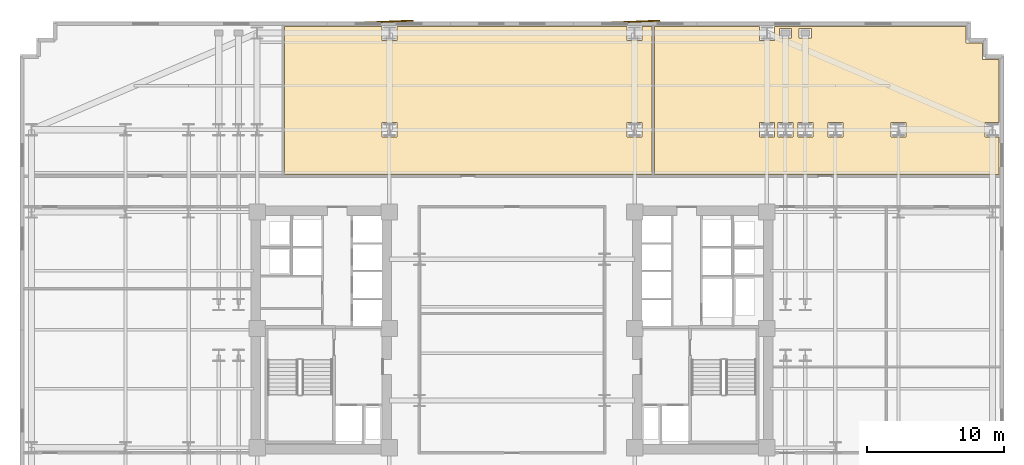
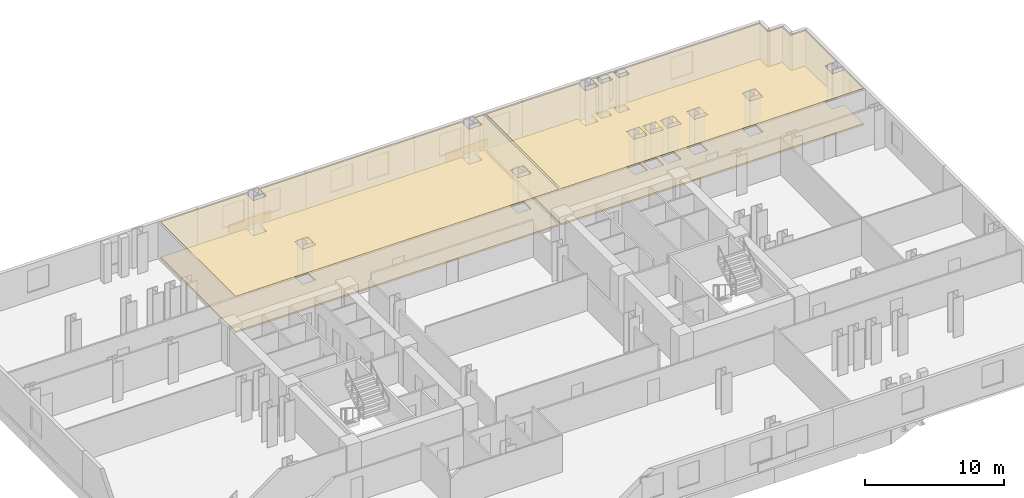
# One storey, part 10 of 10: 6 coverings.
"""IFC4 building model written with IfcOpenShell, lengths in metres."""

from ifc_helpers import new_model, si_unit, direction, frame, origin, origin_2d, place, context, subcontext, project, spatial, polyline, rectangle, outline, extrude, material, layer, layer_set, type_object, element, save


model = new_model("IFC4")

# Units and contexts
model_context = context("Model", 3, precision=1e-05, world=origin(), true_north=direction((0.0, 1.0)))
body_context = subcontext(model_context, "Body", "Model", "MODEL_VIEW")
ifc_project = project(units=[si_unit("LENGTHUNIT", "METRE"), si_unit("AREAUNIT", "SQUARE_METRE"), si_unit("VOLUMEUNIT", "CUBIC_METRE"), si_unit("PLANEANGLEUNIT", "RADIAN"), si_unit("MASSUNIT", "GRAM", prefix="KILO")], contexts=[model_context])

# Site, building, storey
site_placement = place(None, origin())
site = spatial("IfcSite", under=ifc_project, at=site_placement, CompositionType="ELEMENT")
building_placement = place(site_placement, origin())
building = spatial("IfcBuilding", under=site, at=building_placement, Name="Velakula Bourse", CompositionType="ELEMENT")
storey_placement = place(building_placement, frame((0.0, 0.0, 31.199951171875)))
storey = spatial("IfcBuildingStorey", under=building, at=storey_placement, Name="L07", CompositionType="ELEMENT", Elevation=31.199951171875)

# Coverings
ifc_material_1 = material(Name="Red kilned clay facing brick masonry", Category="masonry")
ifc_layer_1 = layer(ifc_material_1, 0.090087890625, Name="Red kilned clay facing brick masonry", Category="masonry")
ifc_layer_set_1 = layer_set([ifc_layer_1], Name="Red kilned clay facing brick masonry")
covering_type_1 = type_object("IfcCoveringType", Name="COV-BRK-FOLD-90", PredefinedType="CLADDING", material=ifc_layer_set_1)
for number, where, z_axis, x_axis, name in (
    (1, (-9.0, 22.489990234375, 0.0), (0.0, 0.0, 1.0), (0.999158993058, 0.041003738744, 0.0), "L07 Folded Brick Facade Cladding Panel N-B2"),
    (2, (9.0, 22.489990234375, 0.0), (0.0, 0.0, 1.0), (0.999158993058, 0.041003738744, 0.0), "L07 Folded Brick Facade Cladding Panel N-B4"),
):
    element("IfcCovering", number, at=place(storey_placement, frame(where, z_axis=z_axis, x_axis=x_axis)), inside=storey, type_object=covering_type_1, Name=name, PredefinedType="CLADDING", context=body_context, shape_type="SweptSolid", body=[
        extrude(rectangle(XDim=3.60009765625, YDim=0.090087890625, at=origin_2d()), origin(), (0.0, 0.0, 1.0), 0.719970703125),
    ])
ifc_material_2 = material(Name="Mineral-fibre acoustic suspended ceiling tile", Category="mineral")
ifc_layer_2 = layer(ifc_material_2, 0.0400390625, Name="Mineral-fibre acoustic suspended ceiling tile", Category="mineral")
ifc_layer_set_2 = layer_set([ifc_layer_2], Name="Mineral-fibre acoustic suspended ceiling tile")
covering_type_2 = type_object("IfcCoveringType", Name="COV-CEIL-AC-40", PredefinedType="CEILING", material=ifc_layer_set_2)
covering_1_placement = place(storey_placement, frame((0.0, 0.0, 3.199951171875)))
element("IfcCovering", 3, at=covering_1_placement, inside=storey, type_object=covering_type_2, Name="L07 Arbitration Conference Room Acoustic Suspended Ceiling", PredefinedType="CEILING", context=body_context, shape_type="SweptSolid", body=[
    extrude(outline(polyline([(8.405029296875, 22.1201171875), (8.405029296875, 21.10498046875), (9.4951171875, 21.10498046875), (9.4951171875, 22.1201171875), (10.2119140625, 22.1201171875), (10.2119140625, 11.330078125), (-16.613037109375, 11.330078125), (-16.613037109375, 22.1201171875), (-9.4951171875, 22.1201171875), (-9.4951171875, 21.10498046875), (-8.405029296875, 21.10498046875), (-8.405029296875, 22.1201171875), (8.405029296875, 22.1201171875)]), holes=[polyline([(8.405029296875, 15.14501953125), (8.405029296875, 14.054931640625), (9.4951171875, 14.054931640625), (9.4951171875, 15.14501953125), (8.405029296875, 15.14501953125)]), polyline([(-9.4951171875, 14.054931640625), (-8.405029296875, 14.054931640625), (-8.405029296875, 15.14501953125), (-9.4951171875, 15.14501953125), (-9.4951171875, 14.054931640625)])]), origin(), (0.0, 0.0, 1.0), 0.0400390625),
])
covering_2_placement = place(storey_placement, frame((0.0, 0.0, 3.199951171875)))
element("IfcCovering", 4, at=covering_2_placement, inside=storey, type_object=covering_type_2, Name="L07 Tea Room Kitchenette Acoustic Suspended Ceiling", PredefinedType="CEILING", context=body_context, shape_type="SweptSolid", body=[
    extrude(outline(polyline([(33.1201171875, 22.1201171875), (33.1201171875, 20.919921875), (34.320068359375, 20.919921875), (34.320068359375, 19.719970703125), (35.52001953125, 19.719970703125), (35.52001953125, 15.14501953125), (34.5048828125, 15.14501953125), (34.5048828125, 14.054931640625), (35.52001953125, 14.054931640625), (35.52001953125, 11.330078125), (10.412109375, 11.330078125), (10.412109375, 22.1201171875), (18.054931640625, 22.1201171875), (18.054931640625, 21.10498046875), (19.14501953125, 21.10498046875), (19.14501953125, 22.1201171875), (33.1201171875, 22.1201171875)]), holes=[polyline([(27.655029296875, 15.14501953125), (27.655029296875, 14.054931640625), (28.7451171875, 14.054931640625), (28.7451171875, 15.14501953125), (27.655029296875, 15.14501953125)]), polyline([(23.054931640625, 15.14501953125), (23.054931640625, 14.054931640625), (24.14501953125, 14.054931640625), (24.14501953125, 15.14501953125), (23.054931640625, 15.14501953125)]), polyline([(20.85498046875, 14.054931640625), (21.945068359375, 14.054931640625), (21.945068359375, 15.14501953125), (20.85498046875, 15.14501953125), (20.85498046875, 14.054931640625)]), polyline([(19.405029296875, 14.054931640625), (20.4951171875, 14.054931640625), (20.4951171875, 15.14501953125), (19.405029296875, 15.14501953125), (19.405029296875, 14.054931640625)]), polyline([(18.054931640625, 14.054931640625), (19.14501953125, 14.054931640625), (19.14501953125, 15.14501953125), (18.054931640625, 15.14501953125), (18.054931640625, 14.054931640625)]), polyline([(20.955078125, 21.9951171875), (20.955078125, 21.304931640625), (21.844970703125, 21.304931640625), (21.844970703125, 21.9951171875), (20.955078125, 21.9951171875)]), polyline([(19.5048828125, 21.9951171875), (19.5048828125, 21.304931640625), (20.39501953125, 21.304931640625), (20.39501953125, 21.9951171875), (19.5048828125, 21.9951171875)])]), origin(), (0.0, 0.0, 1.0), 0.0400390625),
])
ifc_material_3 = material(Name="Calcium-sulphate antistatic raised access flooring", Category="gypsum")
ifc_layer_3 = layer(ifc_material_3, 0.14990234375, Name="Calcium-sulphate antistatic raised access flooring", Category="gypsum")
ifc_layer_set_3 = layer_set([ifc_layer_3], Name="Calcium-sulphate antistatic raised access flooring")
covering_type_3 = type_object("IfcCoveringType", Name="COV-FLR-RAISED-150", PredefinedType="FLOORING", material=ifc_layer_set_3)
covering_3_placement = place(storey_placement, origin())
element("IfcCovering", 5, at=covering_3_placement, inside=storey, type_object=covering_type_3, Name="L07 Arbitration Conference Room Raised Trading Access Floor", PredefinedType="FLOORING", context=body_context, shape_type="SweptSolid", body=[
    extrude(outline(polyline([(8.405029296875, 22.1201171875), (8.405029296875, 21.10498046875), (9.4951171875, 21.10498046875), (9.4951171875, 22.1201171875), (10.2119140625, 22.1201171875), (10.2119140625, 11.330078125), (-16.613037109375, 11.330078125), (-16.613037109375, 22.1201171875), (-9.4951171875, 22.1201171875), (-9.4951171875, 21.10498046875), (-8.405029296875, 21.10498046875), (-8.405029296875, 22.1201171875), (8.405029296875, 22.1201171875)]), holes=[polyline([(8.405029296875, 15.14501953125), (8.405029296875, 14.054931640625), (9.4951171875, 14.054931640625), (9.4951171875, 15.14501953125), (8.405029296875, 15.14501953125)]), polyline([(-9.4951171875, 14.054931640625), (-8.405029296875, 14.054931640625), (-8.405029296875, 15.14501953125), (-9.4951171875, 15.14501953125), (-9.4951171875, 14.054931640625)])]), origin(), (0.0, 0.0, 1.0), 0.150146484375),
])
covering_4_placement = place(storey_placement, origin())
element("IfcCovering", 6, at=covering_4_placement, inside=storey, type_object=covering_type_3, Name="L07 Tea Room Kitchenette Raised Trading Access Floor", PredefinedType="FLOORING", context=body_context, shape_type="SweptSolid", body=[
    extrude(outline(polyline([(33.1201171875, 22.1201171875), (33.1201171875, 20.919921875), (34.320068359375, 20.919921875), (34.320068359375, 19.719970703125), (35.52001953125, 19.719970703125), (35.52001953125, 15.14501953125), (34.5048828125, 15.14501953125), (34.5048828125, 14.054931640625), (35.52001953125, 14.054931640625), (35.52001953125, 11.330078125), (10.412109375, 11.330078125), (10.412109375, 22.1201171875), (18.054931640625, 22.1201171875), (18.054931640625, 21.10498046875), (19.14501953125, 21.10498046875), (19.14501953125, 22.1201171875), (33.1201171875, 22.1201171875)]), holes=[polyline([(27.655029296875, 15.14501953125), (27.655029296875, 14.054931640625), (28.7451171875, 14.054931640625), (28.7451171875, 15.14501953125), (27.655029296875, 15.14501953125)]), polyline([(23.054931640625, 15.14501953125), (23.054931640625, 14.054931640625), (24.14501953125, 14.054931640625), (24.14501953125, 15.14501953125), (23.054931640625, 15.14501953125)]), polyline([(20.85498046875, 14.054931640625), (21.945068359375, 14.054931640625), (21.945068359375, 15.14501953125), (20.85498046875, 15.14501953125), (20.85498046875, 14.054931640625)]), polyline([(19.405029296875, 14.054931640625), (20.4951171875, 14.054931640625), (20.4951171875, 15.14501953125), (19.405029296875, 15.14501953125), (19.405029296875, 14.054931640625)]), polyline([(18.054931640625, 14.054931640625), (19.14501953125, 14.054931640625), (19.14501953125, 15.14501953125), (18.054931640625, 15.14501953125), (18.054931640625, 14.054931640625)]), polyline([(20.955078125, 21.9951171875), (20.955078125, 21.304931640625), (21.844970703125, 21.304931640625), (21.844970703125, 21.9951171875), (20.955078125, 21.9951171875)]), polyline([(19.5048828125, 21.9951171875), (19.5048828125, 21.304931640625), (20.39501953125, 21.304931640625), (20.39501953125, 21.9951171875), (19.5048828125, 21.9951171875)])]), origin(), (0.0, 0.0, 1.0), 0.150146484375),
])

save(model, "model.ifc")
